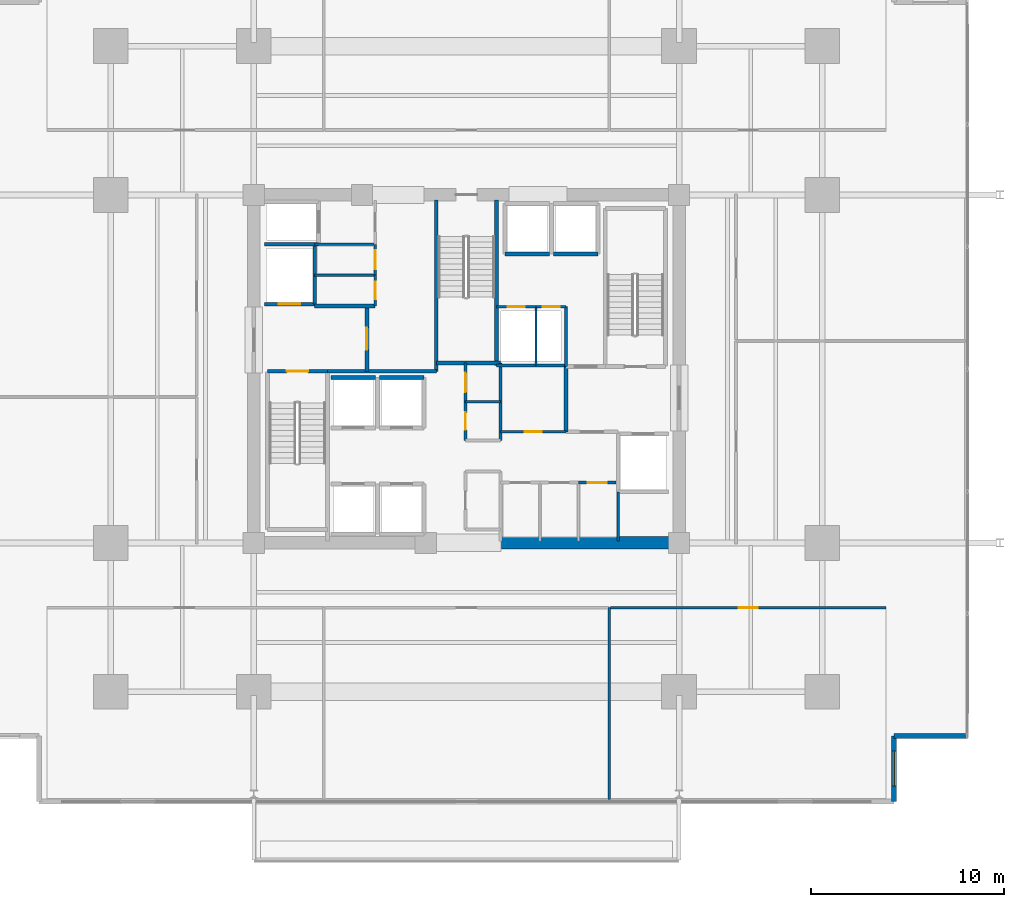
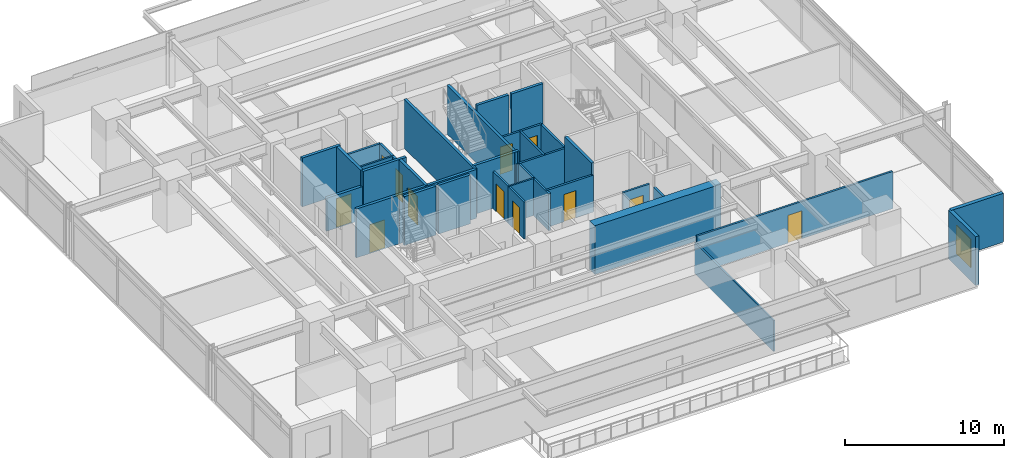
# One storey, part 16 of 23: 36 walls, 12 doors, 1 window, 13 openings.
"""IFC4 building model written with IfcOpenShell, lengths in metres."""

import ifcopenshell
import ifcopenshell.guid

model = None  # the IFC model being written
_history = None  # IfcOwnerHistory: only IFC2X3 demands one
_inside = {}  # id of a spatial element -> (the spatial element, [elements in it])
_under = {}  # id of a project, library or spatial element -> (it, [spatial elements below it])
_declared = {}  # id of a project -> (the project, [libraries it declares])
_typed = {}  # id of a type object -> (the type object, [elements of that type])
_made_of = {}  # id of a material, layer set ... -> (it, [elements and type objects made of it])


def new_model(schema):
    """Start an empty IFC model of exactly this schema.

    Asked for "IFC4X3", IfcOpenShell would pick the latest addendum, in which some entities
    have other attributes; the version numbers below select the first issue.
    IFC2X3 requires an IfcOwnerHistory on every rooted entity: one is made here for all.
    """
    global model, _history
    if schema == "IFC4X3":
        model = ifcopenshell.file(schema_version=(4, 3, 0, 0))
    else:
        model = ifcopenshell.file(schema=schema)
    _inside.clear()
    _under.clear()
    _declared.clear()
    _typed.clear()
    _made_of.clear()
    _history = None
    if model.schema == "IFC2X3":
        org = make("IfcOrganization", Name="unknown")
        user = make(
            "IfcPersonAndOrganization",
            ThePerson=make("IfcPerson", FamilyName="unknown"),
            TheOrganization=org,
        )
        app = make(
            "IfcApplication",
            ApplicationDeveloper=org,
            Version="unknown",
            ApplicationFullName="unknown",
            ApplicationIdentifier="unknown",
        )
        _history = make(
            "IfcOwnerHistory",
            OwningUser=user,
            OwningApplication=app,
            ChangeAction="ADDED",
            CreationDate=0,
        )
    return model


def make(cls, **values):
    """One entity of the class cls with the attributes given. An attribute that is None is left unset."""
    return model.create_entity(
        cls, **{name: value for name, value in values.items() if value is not None}
    )


def rooted(cls, **values):
    """An entity with a GlobalId (a new one), such as an element, a storey or a relation."""
    return make(cls, GlobalId=ifcopenshell.guid.new(), OwnerHistory=_history, **values)


def si_unit(unit_type, name, prefix=None):
    """IfcSIUnit, for example si_unit("LENGTHUNIT", "METRE", prefix="MILLI")."""
    return make("IfcSIUnit", UnitType=unit_type, Prefix=prefix, Name=name)


def assignment(units):
    """IfcUnitAssignment: the units of a project."""
    return None if units is None else make("IfcUnitAssignment", Units=units)


def point(xyz):
    """IfcCartesianPoint."""
    return None if xyz is None else make("IfcCartesianPoint", Coordinates=xyz)


def direction(xyz):
    """IfcDirection."""
    return None if xyz is None else make("IfcDirection", DirectionRatios=xyz)


def frame(location, z_axis=None, x_axis=None):
    """IfcAxis2Placement3D, a coordinate frame: its origin and axes. An axis left out is left unset."""
    return make(
        "IfcAxis2Placement3D",
        Location=point(location),
        Axis=direction(z_axis),
        RefDirection=direction(x_axis),
    )


def frame_2d(location, x_axis=None):
    """IfcAxis2Placement2D, a coordinate frame in the plane: its origin and x axis."""
    return make(
        "IfcAxis2Placement2D", Location=point(location), RefDirection=direction(x_axis)
    )


def origin():
    """The frame at (0, 0, 0) with its axes left unset."""
    return frame((0.0, 0.0, 0.0))


def place(relative_to, where):
    """IfcLocalPlacement: puts the frame where relative to a parent placement (None: the world)."""
    return make(
        "IfcLocalPlacement", PlacementRelTo=relative_to, RelativePlacement=where
    )


def context(
    kind, dimensions, precision=None, world=None, true_north=None, identifier=None
):
    """IfcGeometricRepresentationContext, for example the 3D "Model" context."""
    return make(
        "IfcGeometricRepresentationContext",
        ContextIdentifier=identifier,
        ContextType=kind,
        CoordinateSpaceDimension=dimensions,
        Precision=precision,
        WorldCoordinateSystem=world,
        TrueNorth=true_north,
    )


def subcontext(parent, identifier, kind, view, scale=None):
    """IfcGeometricRepresentationSubContext, for example "Body" below "Model"."""
    return make(
        "IfcGeometricRepresentationSubContext",
        ContextIdentifier=identifier,
        ContextType=kind,
        ParentContext=parent,
        TargetScale=scale,
        TargetView=view,
    )


def project(units=None, contexts=None):
    """IfcProject with its units and contexts."""
    return rooted(
        "IfcProject",
        Name="project",
        RepresentationContexts=contexts,
        UnitsInContext=assignment(units),
    )


def spatial(cls, under=None, at=None, **own):
    """A site, building, storey or space (cls), placed at a placement, below another one or the project."""
    s = rooted(cls, ObjectPlacement=at, **own)
    if under is not None:
        _under.setdefault(under.id(), (under, []))[1].append(s)
    return s


def profile(cls, at=None, kind="AREA", **sizes):
    """A parametric profile (cls). Its sizes go by their IFC names, for example OverallWidth=200.0."""
    return make(cls, ProfileType=kind, Position=at, **sizes)


def rectangle(**sizes):
    """IfcRectangleProfileDef."""
    return profile("IfcRectangleProfileDef", **sizes)


def extrude(swept, where, along, depth):
    """IfcExtrudedAreaSolid: the profile swept, set in the frame where, extruded along a direction by depth."""
    return make(
        "IfcExtrudedAreaSolid",
        SweptArea=swept,
        Position=where,
        ExtrudedDirection=direction(along),
        Depth=depth,
    )


def shape(context_of_items, identifier, shape_type, items):
    """IfcShapeRepresentation: the items that make up one representation, for example the "Body"."""
    return make(
        "IfcShapeRepresentation",
        ContextOfItems=context_of_items,
        RepresentationIdentifier=identifier,
        RepresentationType=shape_type,
        Items=items,
    )


def material(Name=None, Category=None):
    """IfcMaterial."""
    return make("IfcMaterial", Name=Name, Category=Category)


def layer(
    of_material, thickness, ventilated=None, Name=None, Category=None, Priority=None
):
    """IfcMaterialLayer: one layer of a wall or slab, of a material (None: an air gap)."""
    return make(
        "IfcMaterialLayer",
        Material=of_material,
        LayerThickness=thickness,
        IsVentilated=ventilated,
        Name=Name,
        Category=Category,
        Priority=Priority,
    )


def layer_set(layers, Name=None):
    """IfcMaterialLayerSet."""
    return make("IfcMaterialLayerSet", MaterialLayers=layers, LayerSetName=Name)


def made_of(thing, what):
    """Note that an element or type object is made of a material, layer set ...; save() writes the relation."""
    if what is not None:
        _made_of.setdefault(what.id(), (what, []))[1].append(thing)
    return thing


def type_object(cls, material=None, **own):
    """A type object (cls), such as IfcWallType, which elements share."""
    return made_of(rooted(cls, **own), material)


def element(
    cls,
    number,
    at=None,
    inside=None,
    cuts=None,
    type_object=None,
    material=None,
    context=None,
    identifier="Body",
    shape_type=None,
    held_by="IfcProductDefinitionShape",
    body=None,
    shapes=None,
    **own,
):
    """One element of the class cls, such as IfcWall. Its Tag is "e" and its number.

    at: its placement. inside: the storey or other place that contains it. cuts: it is an
    opening in that element (IfcRelVoidsElement). A single representation is given by context,
    identifier, shape_type and body (its items); several are given by shapes. held_by: the class
    of the entity that holds the representations. save() writes the other relations.
    """
    e = rooted(cls, Tag="e%d" % number, ObjectPlacement=at, **own)
    if body is not None:
        shapes = [shape(context, identifier, shape_type, body)]
    if shapes is not None:
        e.Representation = make(held_by, Representations=shapes)
    if inside is not None:
        _inside.setdefault(inside.id(), (inside, []))[1].append(e)
    if cuts is not None:
        rooted(
            "IfcRelVoidsElement", RelatingBuildingElement=cuts, RelatedOpeningElement=e
        )
    if type_object is not None:
        _typed.setdefault(type_object.id(), (type_object, []))[1].append(e)
    return made_of(e, material)


def fill(opening, filler):
    """IfcRelFillsElement: the door or window that sits in an opening."""
    return rooted(
        "IfcRelFillsElement",
        RelatingOpeningElement=opening,
        RelatedBuildingElement=filler,
    )


def aggregate(whole, parts):
    """IfcRelAggregates: a whole, such as a stair, and the parts it consists of."""
    return rooted("IfcRelAggregates", RelatingObject=whole, RelatedObjects=parts)


def save(model, path):
    """Write the relations noted so far, then the file.

    IfcRelAggregates (storeys below a building ...), IfcRelContainedInSpatialStructure (elements
    in a storey), IfcRelDefinesByType, IfcRelAssociatesMaterial and IfcRelDeclares: one each for
    every whole, place, type object, material and project.
    """
    for whole, parts in _under.values():
        aggregate(whole, parts)
    for where, things in _inside.values():
        rooted(
            "IfcRelContainedInSpatialStructure",
            RelatedElements=things,
            RelatingStructure=where,
        )
    for kind, things in _typed.values():
        rooted("IfcRelDefinesByType", RelatedObjects=things, RelatingType=kind)
    for what, things in _made_of.values():
        rooted("IfcRelAssociatesMaterial", RelatedObjects=things, RelatingMaterial=what)
    for by, libraries in _declared.values():
        rooted("IfcRelDeclares", RelatingContext=by, RelatedDefinitions=libraries)
    model.write(path)


model = new_model("IFC4")

# Units and contexts
model_context = context("Model", 3, precision=1e-05, world=origin(), true_north=direction((0.0, 1.0)))
body_context = subcontext(model_context, "Body", "Model", "MODEL_VIEW")
ifc_project = project(units=[si_unit("LENGTHUNIT", "METRE"), si_unit("AREAUNIT", "SQUARE_METRE"), si_unit("VOLUMEUNIT", "CUBIC_METRE"), si_unit("PLANEANGLEUNIT", "RADIAN"), si_unit("MASSUNIT", "GRAM", prefix="KILO")], contexts=[model_context])

# Site, building, storey
site_placement = place(None, origin())
site = spatial("IfcSite", under=ifc_project, at=site_placement, CompositionType="ELEMENT")
building_placement = place(site_placement, origin())
building = spatial("IfcBuilding", under=site, at=building_placement, Name="Kovane Verandah Tower", CompositionType="ELEMENT")
storey_placement = place(building_placement, frame((0.0, 0.0, 63.60009765625)))
storey = spatial("IfcBuildingStorey", under=building, at=storey_placement, Name="L14", CompositionType="ELEMENT", Elevation=63.60009765625)

# Wall
ifc_material_1 = material(Name="Fire-Rated Gypsum Stud Partition", Category="gypsum")
ifc_layer_1 = layer(ifc_material_1, 0.14990234375)
ifc_layer_set_1 = layer_set([ifc_layer_1], Name="Fire-Rated Gypsum Stud Partition")
wall_type_1 = type_object("IfcWallType", Name="WL-COR-150", PredefinedType="PARTITIONING", material=ifc_layer_set_1)
wall_1_placement = place(storey_placement, frame((41.760009765625, 23.800048828125, 0.0), z_axis=(0.0, 0.0, 1.0), x_axis=(0.0, 1.0, 0.0)))
element("IfcWall", 1, at=wall_1_placement, inside=storey, type_object=wall_type_1, Name="L14 Central Core Strip Upper East Wall", PredefinedType="PARTITIONING", context=body_context, shape_type="SweptSolid", body=[
    extrude(rectangle(XDim=4.0, YDim=0.14990234375, at=frame_2d((2.0, 0.0))), origin(), (0.0, 0.0, 1.0), 2.849853515625),
])

# Wall, opening, door
wall_2_placement = place(storey_placement, frame((39.949951171875, 23.800048828125, 0.0), z_axis=(0.0, 0.0, 1.0), x_axis=(0.0, 1.0, 0.0)))
wall_2 = element("IfcWall", 2, at=wall_2_placement, inside=storey, type_object=wall_type_1, Name="L14 Female Toilet Partition", PredefinedType="PARTITIONING", context=body_context, shape_type="SweptSolid", body=[
    extrude(rectangle(XDim=2.0, YDim=0.14990234375, at=frame_2d((1.0, 0.0))), origin(), (0.0, 0.0, 1.0), 2.849853515625),
])
opening_1_placement = place(wall_2_placement, frame((0.550048828125, 0.0, 0.0)))
opening_1 = element("IfcOpeningElement", 3, at=opening_1_placement, cuts=wall_2, Name="Opening DR-L14-029", PredefinedType="OPENING", context=body_context, shape_type="SweptSolid", body=[
    extrude(rectangle(XDim=0.89990234375, YDim=2.10009765625, at=frame_2d((0.449951171875, 1.050048828125))), frame((0.0, 0.074951171875, 0.0), z_axis=(0.0, -1.0, 0.0), x_axis=(1.0, 0.0, 0.0)), (0.0, 0.0, 1.0), 0.14990234375),
])
ifc_material_2 = material(Name="Moisture-Resistant Laminate Washroom Door", Category="wood")
door_type_1 = type_object("IfcDoorType", Name="DR-WC-900", OperationType="SINGLE_SWING_LEFT", PredefinedType="DOOR", material=ifc_material_2)
door_1_placement = place(opening_1_placement, origin())
door_1 = element("IfcDoor", 4, at=door_1_placement, inside=storey, type_object=door_type_1, Name="L14 Female Toilet Door", OperationType="SINGLE_SWING_RIGHT", OverallHeight=2.10009765625, OverallWidth=0.89990234375, PredefinedType="DOOR", context=body_context, shape_type="SweptSolid", body=[
    extrude(rectangle(XDim=0.89990234375, YDim=2.10009765625, at=frame_2d((0.449951171875, 1.050048828125))), frame((0.0, 0.02490234375, 0.0), z_axis=(0.0, -1.0, 0.0), x_axis=(1.0, 0.0, 0.0)), (0.0, 0.0, 1.0), 0.050048828125),
])
fill(opening_1, door_1)

wall_3_placement = place(storey_placement, frame((39.949951171875, 25.800048828125, 0.0), z_axis=(0.0, 0.0, 1.0), x_axis=(0.0, 1.0, 0.0)))
wall_3 = element("IfcWall", 5, at=wall_3_placement, inside=storey, type_object=wall_type_1, Name="L14 Central First Aid and Wellness Room Partition", PredefinedType="PARTITIONING", context=body_context, shape_type="SweptSolid", body=[
    extrude(rectangle(XDim=2.0, YDim=0.14990234375, at=frame_2d((1.0, 0.0))), origin(), (0.0, 0.0, 1.0), 2.849853515625),
])
opening_2_placement = place(wall_3_placement, frame((0.5, 0.0, 0.0)))
opening_2 = element("IfcOpeningElement", 6, at=opening_2_placement, cuts=wall_3, Name="Opening DR-L14-027", PredefinedType="OPENING", context=body_context, shape_type="SweptSolid", body=[
    extrude(rectangle(XDim=1.0, YDim=2.14990234375, at=frame_2d((0.5, 1.074951171875))), frame((0.0, 0.074951171875, 0.0), z_axis=(0.0, -1.0, 0.0), x_axis=(1.0, 0.0, 0.0)), (0.0, 0.0, 1.0), 0.14990234375),
])
ifc_material_3 = material(Name="FSC Spotted-Gum Timber Fire-Rated Office Door", Category="wood")
door_type_2 = type_object("IfcDoorType", Name="DR-OFF-1000", OperationType="SINGLE_SWING_LEFT", PredefinedType="DOOR", material=ifc_material_3)
door_2_placement = place(opening_2_placement, origin())
door_2 = element("IfcDoor", 7, at=door_2_placement, inside=storey, type_object=door_type_2, Name="L14 Central First Aid and Wellness Room Door", OperationType="SINGLE_SWING_LEFT", OverallHeight=2.14990234375, OverallWidth=1.0, PredefinedType="DOOR", context=body_context, shape_type="SweptSolid", body=[
    extrude(rectangle(XDim=1.0, YDim=2.14990234375, at=frame_2d((0.5, 1.074951171875))), frame((0.0, 0.02490234375, 0.0), z_axis=(0.0, -1.0, 0.0), x_axis=(1.0, 0.0, 0.0)), (0.0, 0.0, 1.0), 0.050048828125),
])
fill(opening_2, door_2)

# Wall
wall_4_placement = place(storey_placement, frame((32.14990234375, 33.949951171875, 0.0), z_axis=(0.0, 0.0, 1.0), x_axis=(1.0, 0.0, 0.0)))
element("IfcWall", 8, at=wall_4_placement, inside=storey, type_object=wall_type_1, Name="L14 Goods Lift Lobby South Wall", PredefinedType="PARTITIONING", context=body_context, shape_type="SweptSolid", body=[
    extrude(rectangle(XDim=3.130126953125, YDim=0.14990234375, at=frame_2d((1.56494140625, 0.0))), origin(), (0.0, 0.0, 1.0), 2.849853515625),
])

# Wall, opening, door
wall_5_placement = place(storey_placement, frame((35.280029296875, 30.75, 0.0), z_axis=(0.0, 0.0, 1.0), x_axis=(0.0, 1.0, 0.0)))
wall_5 = element("IfcWall", 9, at=wall_5_placement, inside=storey, type_object=wall_type_1, Name="L14 Accessible Unisex Toilet Partition", PredefinedType="PARTITIONING", context=body_context, shape_type="SweptSolid", body=[
    extrude(rectangle(XDim=1.60009765625, YDim=0.14990234375, at=frame_2d((0.800048828125, 0.0))), origin(), (0.0, 0.0, 1.0), 2.849853515625),
])
opening_3_placement = place(wall_5_placement, frame((0.35009765625, 0.0, 0.0)))
opening_3 = element("IfcOpeningElement", 10, at=opening_3_placement, cuts=wall_5, Name="Opening DR-L14-028", PredefinedType="OPENING", context=body_context, shape_type="SweptSolid", body=[
    extrude(rectangle(XDim=0.89990234375, YDim=2.10009765625, at=frame_2d((0.449951171875, 1.050048828125))), frame((0.0, 0.074951171875, 0.0), z_axis=(0.0, -1.0, 0.0), x_axis=(1.0, 0.0, 0.0)), (0.0, 0.0, 1.0), 0.14990234375),
])
door_3_placement = place(opening_3_placement, origin())
door_3 = element("IfcDoor", 11, at=door_3_placement, inside=storey, type_object=door_type_1, Name="L14 Accessible Unisex Toilet Door", OperationType="SINGLE_SWING_LEFT", OverallHeight=2.10009765625, OverallWidth=0.89990234375, PredefinedType="DOOR", context=body_context, shape_type="SweptSolid", body=[
    extrude(rectangle(XDim=0.89990234375, YDim=2.10009765625, at=frame_2d((0.449951171875, 1.050048828125))), frame((0.0, 0.02490234375, 0.0), z_axis=(0.0, -1.0, 0.0), x_axis=(1.0, 0.0, 0.0)), (0.0, 0.0, 1.0), 0.050048828125),
])
fill(opening_3, door_3)

wall_6_placement = place(storey_placement, frame((35.280029296875, 32.35009765625, 0.0), z_axis=(0.0, 0.0, 1.0), x_axis=(0.0, 1.0, 0.0)))
wall_6 = element("IfcWall", 12, at=wall_6_placement, inside=storey, type_object=wall_type_1, Name="L14 North-West First Aid Room Partition", PredefinedType="PARTITIONING", context=body_context, shape_type="SweptSolid", body=[
    extrude(rectangle(XDim=1.599853515625, YDim=0.14990234375, at=frame_2d((0.7998046875, 0.0))), origin(), (0.0, 0.0, 1.0), 2.849853515625),
])
opening_4_placement = place(wall_6_placement, frame((0.300048828125, 0.0, 0.0)))
opening_4 = element("IfcOpeningElement", 13, at=opening_4_placement, cuts=wall_6, Name="Opening DR-L14-012", PredefinedType="OPENING", context=body_context, shape_type="SweptSolid", body=[
    extrude(rectangle(XDim=1.0, YDim=2.14990234375, at=frame_2d((0.5, 1.074951171875))), frame((0.0, 0.074951171875, 0.0), z_axis=(0.0, -1.0, 0.0), x_axis=(1.0, 0.0, 0.0)), (0.0, 0.0, 1.0), 0.14990234375),
])
door_4_placement = place(opening_4_placement, origin())
door_4 = element("IfcDoor", 14, at=door_4_placement, inside=storey, type_object=door_type_2, Name="L14 North-West First Aid Room Door", OperationType="SINGLE_SWING_RIGHT", OverallHeight=2.14990234375, OverallWidth=1.0, PredefinedType="DOOR", context=body_context, shape_type="SweptSolid", body=[
    extrude(rectangle(XDim=1.0, YDim=2.14990234375, at=frame_2d((0.5, 1.074951171875))), frame((0.0, 0.02490234375, 0.0), z_axis=(0.0, -1.0, 0.0), x_axis=(1.0, 0.0, 0.0)), (0.0, 0.0, 1.0), 0.050048828125),
])
fill(opening_4, door_4)

# Walls
wall_7_placement = place(storey_placement, frame((41.56005859375, 27.679931640625, 0.0), z_axis=(0.0, 0.0, 1.0), x_axis=(1.0, 0.0, 0.0)))
element("IfcWall", 15, at=wall_7_placement, inside=storey, type_object=wall_type_1, Name="L14 East Core Service Riser South Wall", PredefinedType="PARTITIONING", context=body_context, shape_type="SweptSolid", body=[
    extrude(rectangle(XDim=3.58984375, YDim=0.14990234375, at=frame_2d((1.794921875, 0.0))), origin(), (0.0, 0.0, 1.0), 2.849853515625),
])
wall_8_placement = place(storey_placement, frame((47.85009765625, 18.60009765625, 0.0), z_axis=(0.0, 0.0, 1.0), x_axis=(0.0, 1.0, 0.0)))
element("IfcWall", 16, at=wall_8_placement, inside=storey, type_object=wall_type_1, Name="L14 East Core Support East Wall", PredefinedType="PARTITIONING", context=body_context, shape_type="SweptSolid", body=[
    extrude(rectangle(XDim=2.539794921875, YDim=0.14990234375, at=frame_2d((1.27001953125, 0.0))), origin(), (0.0, 0.0, 1.0), 2.849853515625),
])

# Wall, opening, door
wall_9_placement = place(storey_placement, frame((45.800048828125, 21.6201171875, 0.0), z_axis=(0.0, 0.0, 1.0), x_axis=(1.0, 0.0, 0.0)))
wall_9 = element("IfcWall", 17, at=wall_9_placement, inside=storey, type_object=wall_type_1, Name="L14 Quiet Wellness Room Partition", PredefinedType="PARTITIONING", context=body_context, shape_type="SweptSolid", body=[
    extrude(rectangle(XDim=1.93994140625, YDim=0.14990234375, at=frame_2d((0.969970703125, 0.0))), origin(), (0.0, 0.0, 1.0), 2.849853515625),
])
opening_5_placement = place(wall_9_placement, frame((0.469970703125, 0.0, 0.0)))
opening_5 = element("IfcOpeningElement", 18, at=opening_5_placement, cuts=wall_9, Name="Opening DR-L14-017", PredefinedType="OPENING", context=body_context, shape_type="SweptSolid", body=[
    extrude(rectangle(XDim=1.0, YDim=2.14990234375, at=frame_2d((0.5, 1.074951171875))), frame((0.0, 0.074951171875, 0.0), z_axis=(0.0, -1.0, 0.0), x_axis=(1.0, 0.0, 0.0)), (0.0, 0.0, 1.0), 0.14990234375),
])
door_5_placement = place(opening_5_placement, origin())
door_5 = element("IfcDoor", 19, at=door_5_placement, inside=storey, type_object=door_type_2, Name="L14 Quiet Wellness Room Door", OperationType="SINGLE_SWING_LEFT", OverallHeight=2.14990234375, OverallWidth=1.0, PredefinedType="DOOR", context=body_context, shape_type="SweptSolid", body=[
    extrude(rectangle(XDim=1.0, YDim=2.14990234375, at=frame_2d((0.5, 1.074951171875))), frame((0.0, 0.02490234375, 0.0), z_axis=(0.0, -1.0, 0.0), x_axis=(1.0, 0.0, 0.0)), (0.0, 0.0, 1.0), 0.050048828125),
])
fill(opening_5, door_5)

wall_10_placement = place(storey_placement, frame((41.760009765625, 24.25, 0.0), z_axis=(0.0, 0.0, 1.0), x_axis=(1.0, 0.0, 0.0)))
wall_10 = element("IfcWall", 20, at=wall_10_placement, inside=storey, type_object=wall_type_1, Name="L14 Supply Store Partition", PredefinedType="PARTITIONING", context=body_context, shape_type="SweptSolid", body=[
    extrude(rectangle(XDim=3.389892578125, YDim=0.14990234375, at=frame_2d((1.69482421875, 0.0))), origin(), (0.0, 0.0, 1.0), 2.849853515625),
])
opening_6_placement = place(wall_10_placement, frame((1.2548828125, 0.0, 0.0)))
opening_6 = element("IfcOpeningElement", 21, at=opening_6_placement, cuts=wall_10, Name="Opening DR-L14-018", PredefinedType="OPENING", context=body_context, shape_type="SweptSolid", body=[
    extrude(rectangle(XDim=0.8798828125, YDim=2.10009765625, at=frame_2d((0.43994140625, 1.050048828125))), frame((0.0, 0.074951171875, 0.0), z_axis=(0.0, -1.0, 0.0), x_axis=(1.0, 0.0, 0.0)), (0.0, 0.0, 1.0), 0.14990234375),
])
ifc_material_4 = material(Name="Fire-Rated Steel Riser Access Door", Category="steel")
door_type_3 = type_object("IfcDoorType", Name="DR-RISER-880", OperationType="SINGLE_SWING_LEFT", PredefinedType="DOOR", material=ifc_material_4)
door_6_placement = place(opening_6_placement, origin())
door_6 = element("IfcDoor", 22, at=door_6_placement, inside=storey, type_object=door_type_3, Name="L14 Supply Store Door", OperationType="SINGLE_SWING_RIGHT", OverallHeight=2.10009765625, OverallWidth=0.8798828125, PredefinedType="DOOR", context=body_context, shape_type="SweptSolid", body=[
    extrude(rectangle(XDim=0.8798828125, YDim=2.10009765625, at=frame_2d((0.43994140625, 1.050048828125))), frame((0.0, 0.02490234375, 0.0), z_axis=(0.0, -1.0, 0.0), x_axis=(1.0, 0.0, 0.0)), (0.0, 0.0, 1.0), 0.050048828125),
])
fill(opening_6, door_6)

# Wall
wall_11_placement = place(storey_placement, frame((45.14990234375, 27.6201171875, 0.0), z_axis=(0.0, 0.0, 1.0), x_axis=(0.0, 1.0, 0.0)))
element("IfcWall", 23, at=wall_11_placement, inside=storey, type_object=wall_type_1, Name="L14 East Core Service Riser East Wall", PredefinedType="PARTITIONING", context=body_context, shape_type="SweptSolid", body=[
    extrude(rectangle(XDim=3.099853515625, YDim=0.14990234375, at=frame_2d((1.5498046875, 0.0))), origin(), (0.0, 0.0, 1.0), 2.849853515625),
])

# Wall, opening, door
wall_12_placement = place(storey_placement, frame((41.56005859375, 30.719970703125, 0.0), z_axis=(0.0, 0.0, 1.0), x_axis=(1.0, 0.0, 0.0)))
wall_12 = element("IfcWall", 24, at=wall_12_placement, inside=storey, type_object=wall_type_1, Name="L14 Electrical Sub-Main Riser Room Partition", PredefinedType="PARTITIONING", context=body_context, shape_type="SweptSolid", body=[
    extrude(rectangle(XDim=2.0400390625, YDim=0.14990234375, at=frame_2d((1.02001953125, 0.0))), origin(), (0.0, 0.0, 1.0), 2.849853515625),
])
opening_7_placement = place(wall_12_placement, frame((0.580078125, 0.0, 0.0)))
opening_7 = element("IfcOpeningElement", 25, at=opening_7_placement, cuts=wall_12, Name="Opening DR-L14-019", PredefinedType="OPENING", context=body_context, shape_type="SweptSolid", body=[
    extrude(rectangle(XDim=0.8798828125, YDim=2.10009765625, at=frame_2d((0.43994140625, 1.050048828125))), frame((0.0, 0.074951171875, 0.0), z_axis=(0.0, -1.0, 0.0), x_axis=(1.0, 0.0, 0.0)), (0.0, 0.0, 1.0), 0.14990234375),
])
door_7_placement = place(opening_7_placement, origin())
door_7 = element("IfcDoor", 26, at=door_7_placement, inside=storey, type_object=door_type_3, Name="L14 Electrical Sub-Main Riser Room Door", OperationType="SINGLE_SWING_LEFT", OverallHeight=2.10009765625, OverallWidth=0.8798828125, PredefinedType="DOOR", context=body_context, shape_type="SweptSolid", body=[
    extrude(rectangle(XDim=0.8798828125, YDim=2.10009765625, at=frame_2d((0.43994140625, 1.050048828125))), frame((0.0, 0.02490234375, 0.0), z_axis=(0.0, -1.0, 0.0), x_axis=(1.0, 0.0, 0.0)), (0.0, 0.0, 1.0), 0.050048828125),
])
fill(opening_7, door_7)

wall_13_placement = place(storey_placement, frame((43.60009765625, 30.719970703125, 0.0), z_axis=(0.0, 0.0, 1.0), x_axis=(1.0, 0.0, 0.0)))
wall_13 = element("IfcWall", 27, at=wall_13_placement, inside=storey, type_object=wall_type_1, Name="L14 Sprinkler Wet Riser Room Partition", PredefinedType="PARTITIONING", context=body_context, shape_type="SweptSolid", body=[
    extrude(rectangle(XDim=1.5498046875, YDim=0.14990234375, at=frame_2d((0.77490234375, 0.0))), origin(), (0.0, 0.0, 1.0), 2.849853515625),
])
opening_8_placement = place(wall_13_placement, frame((0.3349609375, 0.0, 0.0)))
opening_8 = element("IfcOpeningElement", 28, at=opening_8_placement, cuts=wall_13, Name="Opening DR-L14-020", PredefinedType="OPENING", context=body_context, shape_type="SweptSolid", body=[
    extrude(rectangle(XDim=0.8798828125, YDim=2.10009765625, at=frame_2d((0.43994140625, 1.050048828125))), frame((0.0, 0.074951171875, 0.0), z_axis=(0.0, -1.0, 0.0), x_axis=(1.0, 0.0, 0.0)), (0.0, 0.0, 1.0), 0.14990234375),
])
door_8_placement = place(opening_8_placement, origin())
door_8 = element("IfcDoor", 29, at=door_8_placement, inside=storey, type_object=door_type_3, Name="L14 Sprinkler Wet Riser Room Door", OperationType="SINGLE_SWING_RIGHT", OverallHeight=2.10009765625, OverallWidth=0.8798828125, PredefinedType="DOOR", context=body_context, shape_type="SweptSolid", body=[
    extrude(rectangle(XDim=0.8798828125, YDim=2.10009765625, at=frame_2d((0.43994140625, 1.050048828125))), frame((0.0, 0.02490234375, 0.0), z_axis=(0.0, -1.0, 0.0), x_axis=(1.0, 0.0, 0.0)), (0.0, 0.0, 1.0), 0.050048828125),
])
fill(opening_8, door_8)

wall_14_placement = place(storey_placement, frame((47.450439453125, 15.14990234375, 0.0), z_axis=(0.0, 0.0, 1.0), x_axis=(1.0, 0.0, 0.0)))
wall_14 = element("IfcWall", 30, at=wall_14_placement, inside=storey, type_object=wall_type_1, Name="L14 Open Plan Office S3 Corridor Partition", PredefinedType="PARTITIONING", context=body_context, shape_type="SweptSolid", body=[
    extrude(rectangle(XDim=14.256591796875, YDim=0.14990234375, at=frame_2d((7.12841796875, 0.0))), origin(), (0.0, 0.0, 1.0), 2.849853515625),
])
opening_9_placement = place(wall_14_placement, frame((6.62841796875, 0.0, 0.0)))
opening_9 = element("IfcOpeningElement", 31, at=opening_9_placement, cuts=wall_14, Name="Opening DR-L14-026", PredefinedType="OPENING", context=body_context, shape_type="SweptSolid", body=[
    extrude(rectangle(XDim=1.0, YDim=2.14990234375, at=frame_2d((0.5, 1.074951171875))), frame((0.0, 0.074951171875, 0.0), z_axis=(0.0, -1.0, 0.0), x_axis=(1.0, 0.0, 0.0)), (0.0, 0.0, 1.0), 0.14990234375),
])
door_9_placement = place(opening_9_placement, origin())
door_9 = element("IfcDoor", 32, at=door_9_placement, inside=storey, type_object=door_type_2, Name="L14 Open Plan Office S3 Entrance Door", OperationType="SINGLE_SWING_RIGHT", OverallHeight=2.14990234375, OverallWidth=1.0, PredefinedType="DOOR", context=body_context, shape_type="SweptSolid", body=[
    extrude(rectangle(XDim=1.0, YDim=2.14990234375, at=frame_2d((0.5, 1.074951171875))), frame((0.0, 0.02490234375, 0.0), z_axis=(0.0, -1.0, 0.0), x_axis=(1.0, 0.0, 0.0)), (0.0, 0.0, 1.0), 0.050048828125),
])
fill(opening_9, door_9)

# Wall
ifc_material_5 = material(Name="Concrete C80/95", Category="concrete")
ifc_layer_2 = layer(ifc_material_5, 0.64990234375)
ifc_layer_set_2 = layer_set([ifc_layer_2], Name="Concrete C80/95")
wall_type_2 = type_object("IfcWallType", Name="WL-CORE-650", PredefinedType="SHEAR", material=ifc_layer_set_2)
wall_15_placement = place(storey_placement, frame((41.800048828125, 18.5, 0.0), z_axis=(0.0, 0.0, 1.0), x_axis=(1.0, 0.0, 0.0)))
element("IfcWall", 33, at=wall_15_placement, inside=storey, type_object=wall_type_2, Name="L14 Core Shear Wall CS-2", PredefinedType="SHEAR", context=body_context, shape_type="SweptSolid", body=[
    extrude(rectangle(XDim=9.199951171875, YDim=0.64990234375, at=frame_2d((4.60009765625, 0.0))), origin(), (0.0, 0.0, 1.0), 3.760009765625),
])

# Wall, opening, door
ifc_material_6 = material(Name="Concrete C45/55 Fire Wall", Category="concrete")
ifc_layer_3 = layer(ifc_material_6, 0.199951171875)
ifc_layer_set_3 = layer_set([ifc_layer_3], Name="Concrete C45/55 Fire Wall")
wall_type_3 = type_object("IfcWallType", Name="WL-FFL-200", PredefinedType="PARTITIONING", material=ifc_layer_set_3)
wall_16_placement = place(storey_placement, frame((34.85009765625, 27.3798828125, 0.0), z_axis=(0.0, 0.0, 1.0), x_axis=(0.0, 1.0, 0.0)))
wall_16 = element("IfcWall", 34, at=wall_16_placement, inside=storey, type_object=wall_type_3, Name="W-L14-FFLW-E", PredefinedType="PARTITIONING", context=body_context, shape_type="SweptSolid", body=[
    extrude(rectangle(XDim=3.3701171875, YDim=0.199951171875, at=frame_2d((1.68505859375, 0.0))), origin(), (0.0, 0.0, 1.0), 3.760009765625),
])
opening_10_placement = place(wall_16_placement, frame((1.110107421875, 0.0, 0.0)))
opening_10 = element("IfcOpeningElement", 35, at=opening_10_placement, cuts=wall_16, Name="Opening DR-L14-006", PredefinedType="OPENING", context=body_context, shape_type="SweptSolid", body=[
    extrude(rectangle(XDim=1.14990234375, YDim=2.199951171875, at=frame_2d((0.574951171875, 1.10009765625))), frame((0.0, 0.10009765625, 0.0), z_axis=(0.0, -1.0, 0.0), x_axis=(1.0, 0.0, 0.0)), (0.0, 0.0, 1.0), 0.199951171875),
])
ifc_material_7 = material(Name="Smoke-Sealed Firefighting Lobby Door", Category="steel")
door_type_4 = type_object("IfcDoorType", Name="DR-FFL-1150", OperationType="SINGLE_SWING_LEFT", PredefinedType="DOOR", material=ifc_material_7)
door_10_placement = place(opening_10_placement, origin())
door_10 = element("IfcDoor", 36, at=door_10_placement, inside=storey, type_object=door_type_4, Name="L14 West Firefighting Lobby Inner Door", OperationType="SINGLE_SWING_LEFT", OverallHeight=2.199951171875, OverallWidth=1.14990234375, PredefinedType="DOOR", context=body_context, shape_type="SweptSolid", body=[
    extrude(rectangle(XDim=1.14990234375, YDim=2.199951171875, at=frame_2d((0.574951171875, 1.10009765625))), frame((0.0, 0.02490234375, 0.0), z_axis=(0.0, -1.0, 0.0), x_axis=(1.0, 0.0, 0.0)), (0.0, 0.0, 1.0), 0.050048828125),
])
fill(opening_10, door_10)

# Walls
wall_17_placement = place(storey_placement, frame((32.820068359375, 27.3798828125, 0.0), z_axis=(0.0, 0.0, 1.0), x_axis=(1.0, 0.0, 0.0)))
element("IfcWall", 37, at=wall_17_placement, inside=storey, type_object=wall_type_3, Name="L14 West Firefighting Lobby South Fire Wall", PredefinedType="PARTITIONING", context=body_context, shape_type="SweptSolid", body=[
    extrude(rectangle(XDim=5.619873046875, YDim=0.199951171875, at=frame_2d((2.81005859375, 0.0))), origin(), (0.0, 0.0, 1.0), 3.760009765625),
])
wall_18_placement = place(storey_placement, frame((32.14990234375, 30.75, 0.0), z_axis=(0.0, 0.0, 1.0), x_axis=(1.0, 0.0, 0.0)))
element("IfcWall", 38, at=wall_18_placement, inside=storey, type_object=wall_type_3, Name="L14 West Firefighting Lobby North Fire Wall", PredefinedType="PARTITIONING", context=body_context, shape_type="SweptSolid", body=[
    extrude(rectangle(XDim=3.130126953125, YDim=0.199951171875, at=frame_2d((1.56494140625, 0.0))), origin(), (0.0, 0.0, 1.0), 3.760009765625),
])
wall_19_placement = place(storey_placement, frame((45.14990234375, 24.25, 0.0), z_axis=(0.0, 0.0, 1.0), x_axis=(0.0, 1.0, 0.0)))
element("IfcWall", 39, at=wall_19_placement, inside=storey, type_object=wall_type_3, Name="L14 East Firefighting Lobby West Fire Wall", PredefinedType="PARTITIONING", context=body_context, shape_type="SweptSolid", body=[
    extrude(rectangle(XDim=3.3701171875, YDim=0.199951171875, at=frame_2d((1.68505859375, 0.0))), origin(), (0.0, 0.0, 1.0), 3.760009765625),
])

# Wall, opening, door
ifc_material_8 = material(Name="Concrete C45/55 Lift Shaft Wall", Category="concrete")
ifc_layer_4 = layer(ifc_material_8, 0.199951171875)
ifc_layer_set_4 = layer_set([ifc_layer_4], Name="Concrete C45/55 Lift Shaft Wall")
wall_type_4 = type_object("IfcWallType", Name="WL-LIFT-200", PredefinedType="SOLIDWALL", material=ifc_layer_set_4)
wall_20_placement = place(storey_placement, frame((29.550048828125, 30.85009765625, 0.0), z_axis=(0.0, 0.0, 1.0), x_axis=(1.0, 0.0, 0.0)))
wall_20 = element("IfcWall", 40, at=wall_20_placement, inside=storey, type_object=wall_type_4, Name="L14 Lift FL-01 S Shaft Wall", PredefinedType="SOLIDWALL", context=body_context, shape_type="SweptSolid", body=[
    extrude(rectangle(XDim=2.599853515625, YDim=0.199951171875, at=frame_2d((1.2998046875, 0.0))), origin(), (0.0, 0.0, 1.0), 2.539794921875),
])
opening_11_placement = place(wall_20_placement, frame((0.75, 0.0, 0.0)))
opening_11 = element("IfcOpeningElement", 41, at=opening_11_placement, cuts=wall_20, Name="Opening LD-L14-001", PredefinedType="OPENING", context=body_context, shape_type="SweptSolid", body=[
    extrude(rectangle(XDim=1.10009765625, YDim=2.199951171875, at=frame_2d((0.550048828125, 1.10009765625))), frame((0.0, 0.10009765625, 0.0), z_axis=(0.0, -1.0, 0.0), x_axis=(1.0, 0.0, 0.0)), (0.0, 0.0, 1.0), 0.199951171875),
])
ifc_material_9 = material(Name="Brushed Stainless Steel Sliding Lift Landing Door", Category="steel")
door_type_5 = type_object("IfcDoorType", Name="DR-LIFT-1100", OperationType="SLIDING_TO_RIGHT", PredefinedType="DOOR", material=ifc_material_9)
door_11_placement = place(opening_11_placement, origin())
door_11 = element("IfcDoor", 42, at=door_11_placement, inside=storey, type_object=door_type_5, Name="L14 Lift FL-01 Sliding Landing Door", OperationType="SLIDING_TO_RIGHT", OverallHeight=2.199951171875, OverallWidth=1.10009765625, PredefinedType="DOOR", context=body_context, shape_type="SweptSolid", body=[
    extrude(rectangle(XDim=1.10009765625, YDim=2.199951171875, at=frame_2d((0.550048828125, 1.10009765625))), frame((0.0, 0.02490234375, 0.0), z_axis=(0.0, -1.0, 0.0), x_axis=(1.0, 0.0, 0.0)), (0.0, 0.0, 1.0), 0.050048828125),
])
fill(opening_11, door_11)

# Walls
wall_21_placement = place(storey_placement, frame((29.550048828125, 33.949951171875, 0.0), z_axis=(0.0, 0.0, 1.0), x_axis=(1.0, 0.0, 0.0)))
element("IfcWall", 43, at=wall_21_placement, inside=storey, type_object=wall_type_4, Name="L14 Lift FL-01 and GL-01 Shared Shaft Wall", PredefinedType="SOLIDWALL", context=body_context, shape_type="SweptSolid", body=[
    extrude(rectangle(XDim=2.800048828125, YDim=0.199951171875, at=frame_2d((1.39990234375, 0.0))), origin(), (0.0, 0.0, 1.0), 3.760009765625),
])
wall_22_placement = place(storey_placement, frame((32.14990234375, 30.85009765625, 0.0), z_axis=(0.0, 0.0, 1.0), x_axis=(0.0, 1.0, 0.0)))
element("IfcWall", 44, at=wall_22_placement, inside=storey, type_object=wall_type_4, Name="L14 Lift FL-01 E Shaft Wall", PredefinedType="SOLIDWALL", context=body_context, shape_type="SweptSolid", body=[
    extrude(rectangle(XDim=3.0, YDim=0.199951171875, at=frame_2d((1.5, 0.0))), origin(), (0.0, 0.0, 1.0), 3.760009765625),
])
for number, where, z_axis, x_axis, name in (
    (45, (35.300048828125, 27.050048828125, 0.0), (0.0, 0.0, 1.0), (-1.0, 0.0, 0.0), "L14 Lift PL-L3 N Shaft Wall"),
    (46, (37.800048828125, 27.050048828125, 0.0), (0.0, 0.0, 1.0), (-1.0, 0.0, 0.0), "L14 Lift PL-L4 N Shaft Wall"),
    (47, (42.0, 33.449951171875, 0.0), (0.0, 0.0, 1.0), (1.0, 0.0, 0.0), "L14 Lift SL-01 S Shaft Wall"),
    (48, (44.5, 33.449951171875, 0.0), (0.0, 0.0, 1.0), (1.0, 0.0, 0.0), "L14 Lift OL-01 S Shaft Wall"),
):
    element("IfcWall", number, at=place(storey_placement, frame(where, z_axis=z_axis, x_axis=x_axis)), inside=storey, type_object=wall_type_4, Name=name, PredefinedType="SOLIDWALL", context=body_context, shape_type="SweptSolid", body=[
        extrude(rectangle(XDim=2.300048828125, YDim=0.199951171875, at=frame_2d((1.14990234375, 0.0))), origin(), (0.0, 0.0, 1.0), 3.760009765625),
    ])
ifc_material_10 = material(Name="Acoustic Fire-Rated Gypsum Partition", Category="gypsum")
ifc_layer_5 = layer(ifc_material_10, 0.1201171875)
ifc_layer_set_5 = layer_set([ifc_layer_5], Name="Acoustic Fire-Rated Gypsum Partition")
wall_type_5 = type_object("IfcWallType", Name="WL-PART-120", PredefinedType="PARTITIONING", material=ifc_layer_set_5)
wall_23_placement = place(storey_placement, frame((39.949951171875, 25.800048828125, 0.0), z_axis=(0.0, 0.0, 1.0), x_axis=(1.0, 0.0, 0.0)))
element("IfcWall", 49, at=wall_23_placement, inside=storey, type_object=wall_type_5, Name="L14 Central Core Strip Upper Dividing Partition", PredefinedType="PARTITIONING", context=body_context, shape_type="SweptSolid", body=[
    extrude(rectangle(XDim=1.81005859375, YDim=0.1201171875, at=frame_2d((0.905029296875, 0.0))), origin(), (0.0, 0.0, 1.0), 2.849853515625),
])
wall_24_placement = place(storey_placement, frame((32.14990234375, 32.35009765625, 0.0), z_axis=(0.0, 0.0, 1.0), x_axis=(1.0, 0.0, 0.0)))
element("IfcWall", 50, at=wall_24_placement, inside=storey, type_object=wall_type_5, Name="L14 Accessible Washroom and Support Dividing Partition", PredefinedType="PARTITIONING", context=body_context, shape_type="SweptSolid", body=[
    extrude(rectangle(XDim=3.130126953125, YDim=0.1201171875, at=frame_2d((1.56494140625, 0.0))), origin(), (0.0, 0.0, 1.0), 2.849853515625),
])
wall_25_placement = place(storey_placement, frame((43.60009765625, 27.679931640625, 0.0), z_axis=(0.0, 0.0, 1.0), x_axis=(0.0, 1.0, 0.0)))
element("IfcWall", 51, at=wall_25_placement, inside=storey, type_object=wall_type_5, Name="L14 Service Riser Dividing Partition", PredefinedType="PARTITIONING", context=body_context, shape_type="SweptSolid", body=[
    extrude(rectangle(XDim=3.0400390625, YDim=0.1201171875, at=frame_2d((1.52001953125, 0.0))), origin(), (0.0, 0.0, 1.0), 2.849853515625),
])
wall_26_placement = place(storey_placement, frame((47.38037109375, 5.22509765625, 0.0), z_axis=(0.0, 0.0, 1.0), x_axis=(0.0, 1.0, 0.0)))
element("IfcWall", 52, at=wall_26_placement, inside=storey, type_object=wall_type_5, Name="L14 Document and Print Room S2 Dividing Partition", PredefinedType="PARTITIONING", context=body_context, shape_type="SweptSolid", body=[
    extrude(rectangle(XDim=9.9248046875, YDim=0.1201171875, at=frame_2d((4.96240234375, 0.0))), origin(), (0.0, 0.0, 1.0), 2.389892578125),
])

# Wall, opening, door
ifc_material_11 = material(Name="Concrete C45/55", Category="concrete")
ifc_layer_6 = layer(ifc_material_11, 0.199951171875)
ifc_layer_set_6 = layer_set([ifc_layer_6], Name="Concrete C45/55")
wall_type_6 = type_object("IfcWallType", Name="WL-SHAFT-200", PredefinedType="SOLIDWALL", material=ifc_layer_set_6)
wall_27_placement = place(storey_placement, frame((29.699951171875, 27.3798828125, 0.0), z_axis=(0.0, 0.0, 1.0), x_axis=(1.0, 0.0, 0.0)))
wall_27 = element("IfcWall", 53, at=wall_27_placement, inside=storey, type_object=wall_type_6, Name="W-L14-ST01-N", PredefinedType="SOLIDWALL", context=body_context, shape_type="SweptSolid", body=[
    extrude(rectangle(XDim=3.1201171875, YDim=0.199951171875, at=frame_2d((1.56005859375, 0.0))), origin(), (0.0, 0.0, 1.0), 3.760009765625),
])
opening_12_placement = place(wall_27_placement, frame((1.010009765625, 0.0, 0.0)))
opening_12 = element("IfcOpeningElement", 54, at=opening_12_placement, cuts=wall_27, Name="Opening DR-L14-009", PredefinedType="OPENING", context=body_context, shape_type="SweptSolid", body=[
    extrude(rectangle(XDim=1.10009765625, YDim=2.14990234375, at=frame_2d((0.550048828125, 1.074951171875))), frame((0.0, 0.10009765625, 0.0), z_axis=(0.0, -1.0, 0.0), x_axis=(1.0, 0.0, 0.0)), (0.0, 0.0, 1.0), 0.199951171875),
])
ifc_material_12 = material(Name="Fire-Rated Steel Exit Door", Category="steel")
door_type_6 = type_object("IfcDoorType", Name="DR-STAIR-1100", OperationType="SINGLE_SWING_LEFT", PredefinedType="DOOR", material=ifc_material_12)
door_12_placement = place(opening_12_placement, origin())
door_12 = element("IfcDoor", 55, at=door_12_placement, inside=storey, type_object=door_type_6, Name="L14 ST-01 Fire Exit Stair Door", OperationType="SINGLE_SWING_RIGHT", OverallHeight=2.14990234375, OverallWidth=1.10009765625, PredefinedType="DOOR", context=body_context, shape_type="SweptSolid", body=[
    extrude(rectangle(XDim=1.10009765625, YDim=2.14990234375, at=frame_2d((0.550048828125, 1.074951171875))), frame((0.0, 0.02490234375, 0.0), z_axis=(0.0, -1.0, 0.0), x_axis=(1.0, 0.0, 0.0)), (0.0, 0.0, 1.0), 0.050048828125),
])
fill(opening_12, door_12)

# Walls
wall_28_placement = place(storey_placement, frame((38.43994140625, 27.3798828125, 0.0), z_axis=(0.0, 0.0, 1.0), x_axis=(0.0, 1.0, 0.0)))
element("IfcWall", 56, at=wall_28_placement, inside=storey, type_object=wall_type_6, Name="W-L14-ST03-W", PredefinedType="SOLIDWALL", context=body_context, shape_type="SweptSolid", body=[
    extrude(rectangle(XDim=8.8701171875, YDim=0.199951171875, at=frame_2d((4.43505859375, 0.0))), origin(), (0.0, 0.0, 1.0), 3.760009765625),
])
wall_29_placement = place(storey_placement, frame((41.56005859375, 27.679931640625, 0.0), z_axis=(0.0, 0.0, 1.0), x_axis=(0.0, 1.0, 0.0)))
element("IfcWall", 57, at=wall_29_placement, inside=storey, type_object=wall_type_6, Name="W-L14-ST03-E", PredefinedType="SOLIDWALL", context=body_context, shape_type="SweptSolid", body=[
    extrude(rectangle(XDim=8.570068359375, YDim=0.199951171875, at=frame_2d((4.28515625, 0.0))), origin(), (0.0, 0.0, 1.0), 3.760009765625),
])
wall_30_placement = place(storey_placement, frame((38.43994140625, 27.800048828125, 0.0), z_axis=(0.0, 0.0, 1.0), x_axis=(1.0, 0.0, 0.0)))
element("IfcWall", 58, at=wall_30_placement, inside=storey, type_object=wall_type_6, Name="W-L14-ST03-S", PredefinedType="SOLIDWALL", context=body_context, shape_type="SweptSolid", body=[
    extrude(rectangle(XDim=3.320068359375, YDim=0.199951171875, at=frame_2d((1.66015625, 0.0))), origin(), (0.0, 0.0, 1.0), 3.760009765625),
])

# Wall, opening, window
ifc_material_13 = material(Name="Concrete C45/55 Insulated Spandrel Wall", Category="concrete")
ifc_layer_7 = layer(ifc_material_13, 0.260009765625)
ifc_layer_set_7 = layer_set([ifc_layer_7], Name="Concrete C45/55 Insulated Spandrel Wall")
wall_type_7 = type_object("IfcWallType", Name="WL-SPANDREL-260", PredefinedType="PARAPET", material=ifc_layer_set_7)
wall_31_placement = place(storey_placement, frame((62.107177734375, 5.125, 0.0), z_axis=(0.0, 0.0, 1.0), x_axis=(0.0, 1.0, 0.0)))
wall_31 = element("IfcWall", 59, at=wall_31_placement, inside=storey, type_object=wall_type_7, Name="L14 SE Notch Cheek Wall 1", PredefinedType="PARAPET", context=body_context, shape_type="SweptSolid", body=[
    extrude(rectangle(XDim=3.39990234375, YDim=0.260009765625, at=frame_2d((1.699951171875, 0.0))), origin(), (0.0, 0.0, 1.0), 3.760009765625),
])
opening_13_placement = place(wall_31_placement, frame((0.800048828125, 0.0, 0.85009765625)))
opening_13 = element("IfcOpeningElement", 60, at=opening_13_placement, cuts=wall_31, Name="Opening W-03", PredefinedType="OPENING", context=body_context, shape_type="SweptSolid", body=[
    extrude(rectangle(XDim=1.800048828125, YDim=2.199951171875, at=frame_2d((0.89990234375, 1.10009765625))), frame((0.0, 0.1298828125, 0.0), z_axis=(0.0, -1.0, 0.0), x_axis=(1.0, 0.0, 0.0)), (0.0, 0.0, 1.0), 0.260009765625),
])
ifc_material_14 = material(Name="Clear Low-E Laminated Double Glazing in Anodised Frame", Category="glass")
window_type = type_object("IfcWindowType", Name="WN-NOTCH-1800x2200", PartitioningType="SINGLE_PANEL", PredefinedType="WINDOW", material=ifc_material_14)
window_placement = place(opening_13_placement, origin())
window = element("IfcWindow", 61, at=window_placement, inside=storey, type_object=window_type, Name="L14 SE Re-Entrant Corner Operable Window", OverallHeight=2.199951171875, OverallWidth=1.800048828125, PartitioningType="SINGLE_PANEL", PredefinedType="WINDOW", context=body_context, shape_type="SweptSolid", body=[
    extrude(rectangle(XDim=1.800048828125, YDim=2.199951171875, at=frame_2d((0.89990234375, 1.10009765625))), frame((0.0, 0.030029296875, 0.0), z_axis=(0.0, -1.0, 0.0), x_axis=(1.0, 0.0, 0.0)), (0.0, 0.0, 1.0), 0.06005859375),
])
fill(opening_13, window)

# Wall
wall_32_placement = place(storey_placement, frame((62.107177734375, 8.52490234375, 0.0), z_axis=(0.0, 0.0, 1.0), x_axis=(1.0, 0.0, 0.0)))
element("IfcWall", 62, at=wall_32_placement, inside=storey, type_object=wall_type_7, Name="L14 SE Notch Cheek Wall 2", PredefinedType="PARAPET", context=body_context, shape_type="SweptSolid", body=[
    extrude(rectangle(XDim=3.7998046875, YDim=0.260009765625, at=frame_2d((1.89990234375, 0.0))), origin(), (0.0, 0.0, 1.0), 3.760009765625),
])

save(model, "model.ifc")
